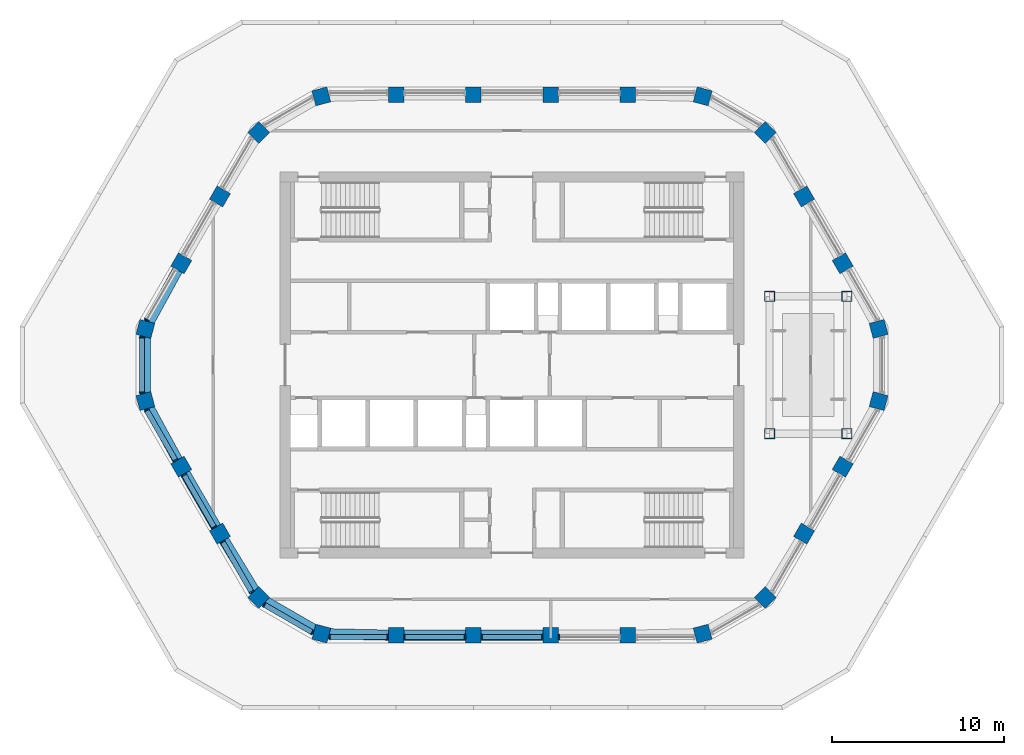
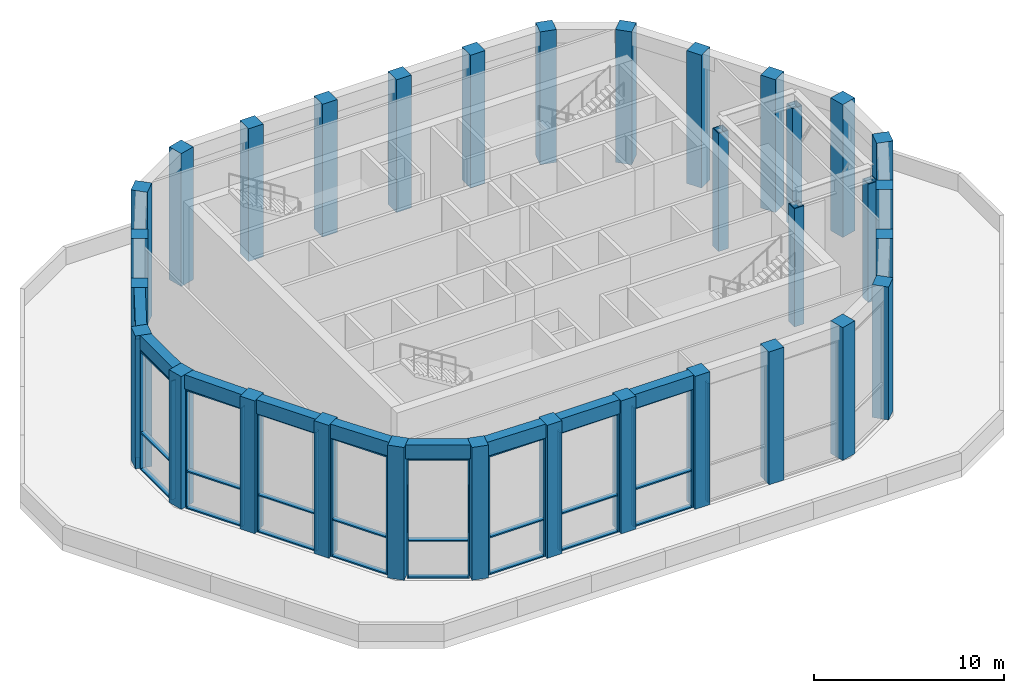
# One storey, part 1 of 11: 42 members, 32 columns, 9 beams, 10 elements without a shape of their own.
"""IFC4 building model written with IfcOpenShell, lengths in metres."""

from ifc_helpers import new_model, si_unit, direction, frame, origin, origin_2d, place, context, subcontext, project, spatial, rectangle, hollow_rectangle, extrude, material, layer, layer_set, material_profile, profile_set, type_object, element, aggregate, save


model = new_model("IFC4")

# Units and contexts
model_context = context("Model", 3, precision=1e-05, world=origin(), true_north=direction((0.0, 1.0)))
body_context = subcontext(model_context, "Body", "Model", "MODEL_VIEW")
ifc_project = project(units=[si_unit("LENGTHUNIT", "METRE"), si_unit("AREAUNIT", "SQUARE_METRE"), si_unit("VOLUMEUNIT", "CUBIC_METRE"), si_unit("PLANEANGLEUNIT", "RADIAN"), si_unit("MASSUNIT", "GRAM", prefix="KILO")], contexts=[model_context])

# Site, building, storey
site_placement = place(None, origin())
site = spatial("IfcSite", under=ifc_project, at=site_placement, CompositionType="ELEMENT")
building_placement = place(site_placement, origin())
building = spatial("IfcBuilding", under=site, at=building_placement, Name="Dhurran Vertical Campus", CompositionType="ELEMENT")
storey_placement = place(building_placement, frame((0.0, 0.0, 309.89990234375)))
storey = spatial("IfcBuildingStorey", under=building, at=storey_placement, Name="L77 Damper Plant", CompositionType="ELEMENT", Elevation=309.89990234375)

# Columns
ifc_material_1 = material(Name="Concrete C60/75", Category="concrete")
ifc_material_profile_1 = material_profile(ifc_material_1, rectangle(XDim=0.89990234375, YDim=0.89990234375, at=origin_2d()), Name="cr/col/R1")
ifc_profile_set_1 = profile_set([ifc_material_profile_1], Name="Concrete C60/75")
column_type_1 = type_object("IfcColumnType", Name="cr/col/R1", PredefinedType="COLUMN", material=ifc_profile_set_1)
for number, where, z_axis, x_axis, name in (
    (1, (-11.102294921875, -15.64013671875, 0.0), (0.0, 0.0, 1.0), (0.965925826289, -0.258819045103, 0.0), "Crown column L77 1"),
    (2, (-6.75, -15.7412109375, 0.0), (0.0, 0.0, 1.0), (1.0, 0.0, 0.0), "Crown column L77 2"),
    (3, (-2.25, -15.7412109375, 0.0), (0.0, 0.0, 1.0), (1.0, 0.0, 0.0), "Crown column L77 3"),
    (4, (2.25, -15.7412109375, 0.0), (0.0, 0.0, 1.0), (1.0, 0.0, 0.0), "Crown column L77 4"),
    (5, (6.75, -15.7412109375, 0.0), (0.0, 0.0, 1.0), (1.0, 0.0, 0.0), "Crown column L77 5"),
    (6, (11.102294921875, -15.64013671875, 0.0), (0.0, 0.0, 1.0), (0.965925826289, 0.258819045103, 0.0), "Crown column L77 6"),
    (7, (14.74365234375, -13.537841796875, 0.0), (0.0, 0.0, 1.0), (0.707106781187, 0.707106781187, 0.0), "Crown column L77 7"),
    (8, (17.00732421875, -9.819091796875, 0.0), (0.0, 0.0, 1.0), (0.5, 0.866025403784, 0.0), "Crown column L77 8"),
    (9, (19.25732421875, -5.922119140625, 0.0), (0.0, 0.0, 1.0), (0.5, 0.866025403784, 0.0), "Crown column L77 9"),
    (10, (21.345947265625, -2.102294921875, 0.0), (0.0, 0.0, 1.0), (0.258819045103, 0.965925826289, 0.0), "Crown column L77 10"),
    (11, (21.345947265625, 2.102294921875, 0.0), (0.0, 0.0, 1.0), (-0.258819045103, 0.965925826289, 0.0), "Crown column L77 11"),
    (12, (19.25732421875, 5.922119140625, 0.0), (0.0, 0.0, 1.0), (-0.5, 0.866025403784, 0.0), "Crown column L77 12"),
    (13, (17.00732421875, 9.819091796875, 0.0), (0.0, 0.0, 1.0), (-0.5, 0.866025403784, 0.0), "Crown column L77 13"),
    (14, (14.74365234375, 13.537841796875, 0.0), (0.0, 0.0, 1.0), (-0.707106781187, 0.707106781187, 0.0), "Crown column L77 14"),
    (15, (11.102294921875, 15.64013671875, 0.0), (0.0, 0.0, 1.0), (-0.965925826289, 0.258819045103, 0.0), "Crown column L77 15"),
    (16, (6.75, 15.7412109375, 0.0), (0.0, 0.0, 1.0), (-1.0, 0.0, 0.0), "Crown column L77 16"),
    (17, (2.25, 15.7412109375, 0.0), (0.0, 0.0, 1.0), (-1.0, 0.0, 0.0), "Crown column L77 17"),
    (18, (-2.25, 15.7412109375, 0.0), (0.0, 0.0, 1.0), (-1.0, 0.0, 0.0), "Crown column L77 18"),
    (19, (-6.75, 15.7412109375, 0.0), (0.0, 0.0, 1.0), (-1.0, 0.0, 0.0), "Crown column L77 19"),
    (20, (-11.102294921875, 15.64013671875, 0.0), (0.0, 0.0, 1.0), (-0.965925826289, -0.258819045103, 0.0), "Crown column L77 20"),
    (21, (-14.74365234375, 13.537841796875, 0.0), (0.0, 0.0, 1.0), (-0.707106781187, -0.707106781187, 0.0), "Crown column L77 21"),
    (22, (-17.00732421875, 9.819091796875, 0.0), (0.0, 0.0, 1.0), (-0.5, -0.866025403784, 0.0), "Crown column L77 22"),
    (23, (-19.25732421875, 5.922119140625, 0.0), (0.0, 0.0, 1.0), (-0.5, -0.866025403784, 0.0), "Crown column L77 23"),
    (24, (-21.345947265625, 2.102294921875, 0.0), (0.0, 0.0, 1.0), (-0.258819045103, -0.965925826289, 0.0), "Crown column L77 24"),
    (25, (-21.345947265625, -2.102294921875, 0.0), (0.0, 0.0, 1.0), (0.258819045103, -0.965925826289, 0.0), "Crown column L77 25"),
    (26, (-19.25732421875, -5.922119140625, 0.0), (0.0, 0.0, 1.0), (0.5, -0.866025403784, 0.0), "Crown column L77 26"),
    (27, (-17.00732421875, -9.819091796875, 0.0), (0.0, 0.0, 1.0), (0.5, -0.866025403784, 0.0), "Crown column L77 27"),
    (28, (-14.74365234375, -13.537841796875, 0.0), (0.0, 0.0, 1.0), (0.707106781187, -0.707106781187, 0.0), "Crown column L77 28"),
):
    element("IfcColumn", number, at=place(storey_placement, frame(where, z_axis=z_axis, x_axis=x_axis)), inside=storey, type_object=column_type_1, Name=name, PredefinedType="COLUMN", context=body_context, shape_type="SweptSolid", body=[
        extrude(rectangle(XDim=0.89990234375, YDim=0.89990234375, at=origin_2d()), origin(), (0.0, 0.0, 1.0), 8.550048828125),
    ])
ifc_material_2 = material(Name="Steel S355J2H", Category="steel")
ifc_material_profile_2 = material_profile(ifc_material_2, hollow_rectangle(XDim=0.60009765625, YDim=0.60009765625, WallThickness=0.0400390625, at=origin_2d()), Name="cr/col/damper")
ifc_profile_set_2 = profile_set([ifc_material_profile_2], Name="Steel S355J2H")
column_type_2 = type_object("IfcColumnType", Name="cr/col/damper", PredefinedType="COLUMN", material=ifc_profile_set_2)
for number, where, z_axis, x_axis, name in (
    (29, (15.0, -4.0, 0.0), (0.0, 0.0, 1.0), (1.0, 0.0, 0.0), "Damper frame column 00"),
    (30, (15.0, 4.0, 0.0), (0.0, 0.0, 1.0), (1.0, 0.0, 0.0), "Damper frame column 01"),
    (31, (19.5, -4.0, 0.0), (0.0, 0.0, 1.0), (1.0, 0.0, 0.0), "Damper frame column 10"),
    (32, (19.5, 4.0, 0.0), (0.0, 0.0, 1.0), (1.0, 0.0, 0.0), "Damper frame column 11"),
):
    element("IfcColumn", number, at=place(storey_placement, frame(where, z_axis=z_axis, x_axis=x_axis)), inside=storey, type_object=column_type_2, Name=name, PredefinedType="COLUMN", context=body_context, shape_type="SweptSolid", body=[
        extrude(hollow_rectangle(XDim=0.60009765625, YDim=0.60009765625, WallThickness=0.0400390625, at=origin_2d()), origin(), (0.0, 0.0, 1.0), 7.6171875),
    ])

# Curtain wall, members
ifc_material_3 = material(Name="Aluminium frame with solar-control glass", Category="aluminium")
ifc_layer = layer(ifc_material_3, 0.300048828125)
ifc_layer_set = layer_set([ifc_layer], Name="Aluminium frame with solar-control glass")
curtain_wall_type = type_object("IfcCurtainWallType", Name="Damper floor glazing system", PredefinedType="NOTDEFINED", material=ifc_layer_set)
curtain_wall_1_placement = place(storey_placement, origin())
curtain_wall_1 = element("IfcCurtainWall", 33, at=curtain_wall_1_placement, inside=storey, type_object=curtain_wall_type, Name="CW4 L77.00", PredefinedType="NOTDEFINED")
ifc_material_4 = material(Name="Aluminium mullion", Category="aluminium")
ifc_material_profile_3 = material_profile(ifc_material_4, rectangle(XDim=0.300048828125, YDim=0.080078125, at=origin_2d()), Name="Damper floor glazing system mullion")
ifc_profile_set_3 = profile_set([ifc_material_profile_3], Name="Aluminium mullion")
member_type_1 = type_object("IfcMemberType", Name="Damper floor glazing system mullion", PredefinedType="MULLION", material=ifc_profile_set_3)
member_1_placement = place(storey_placement, frame((-10.60986328125, -15.84130859375, 0.0), z_axis=(0.0, 0.0, 1.0), x_axis=(0.0, 1.0, 0.0)))
member_1 = element("IfcMember", 34, at=member_1_placement, type_object=member_type_1, Name="CW4 mullion 1", PredefinedType="MULLION", context=body_context, shape_type="SweptSolid", body=[
    extrude(rectangle(XDim=0.300048828125, YDim=0.080078125, at=origin_2d()), origin(), (0.0, 0.0, 1.0), 7.650146484375),
])
member_2_placement = place(storey_placement, frame((-7.240478515625, -15.84130859375, 0.0), z_axis=(0.0, 0.0, 1.0), x_axis=(0.0, 1.0, 0.0)))
member_2 = element("IfcMember", 35, at=member_2_placement, type_object=member_type_1, Name="CW4 mullion 2", PredefinedType="MULLION", context=body_context, shape_type="SweptSolid", body=[
    extrude(rectangle(XDim=0.300048828125, YDim=0.080078125, at=origin_2d()), origin(), (0.0, 0.0, 1.0), 7.650146484375),
])

curtain_wall_2_placement = place(storey_placement, origin())
curtain_wall_2 = element("IfcCurtainWall", 36, at=curtain_wall_2_placement, inside=storey, type_object=curtain_wall_type, Name="CW4 L77.01", PredefinedType="NOTDEFINED")
member_3_placement = place(storey_placement, frame((-6.259521484375, -15.84130859375, 0.0), z_axis=(0.0, 0.0, 1.0), x_axis=(0.0, 1.0, 0.0)))
member_3 = element("IfcMember", 37, at=member_3_placement, type_object=member_type_1, Name="CW4 mullion 1", PredefinedType="MULLION", context=body_context, shape_type="SweptSolid", body=[
    extrude(rectangle(XDim=0.300048828125, YDim=0.080078125, at=origin_2d()), origin(), (0.0, 0.0, 1.0), 7.650146484375),
])
member_4_placement = place(storey_placement, frame((-2.740478515625, -15.84130859375, 0.0), z_axis=(0.0, 0.0, 1.0), x_axis=(0.0, 1.0, 0.0)))
member_4 = element("IfcMember", 38, at=member_4_placement, type_object=member_type_1, Name="CW4 mullion 2", PredefinedType="MULLION", context=body_context, shape_type="SweptSolid", body=[
    extrude(rectangle(XDim=0.300048828125, YDim=0.080078125, at=origin_2d()), origin(), (0.0, 0.0, 1.0), 7.650146484375),
])

curtain_wall_3_placement = place(storey_placement, origin())
curtain_wall_3 = element("IfcCurtainWall", 39, at=curtain_wall_3_placement, inside=storey, type_object=curtain_wall_type, Name="CW4 L77.02", PredefinedType="NOTDEFINED")
member_5_placement = place(storey_placement, frame((-1.759521484375, -15.84130859375, 0.0), z_axis=(0.0, 0.0, 1.0), x_axis=(0.0, 1.0, 0.0)))
member_5 = element("IfcMember", 40, at=member_5_placement, type_object=member_type_1, Name="CW4 mullion 1", PredefinedType="MULLION", context=body_context, shape_type="SweptSolid", body=[
    extrude(rectangle(XDim=0.300048828125, YDim=0.080078125, at=origin_2d()), origin(), (0.0, 0.0, 1.0), 7.650146484375),
])
member_6_placement = place(storey_placement, frame((1.759521484375, -15.84130859375, 0.0), z_axis=(0.0, 0.0, 1.0), x_axis=(0.0, 1.0, 0.0)))
member_6 = element("IfcMember", 41, at=member_6_placement, type_object=member_type_1, Name="CW4 mullion 2", PredefinedType="MULLION", context=body_context, shape_type="SweptSolid", body=[
    extrude(rectangle(XDim=0.300048828125, YDim=0.080078125, at=origin_2d()), origin(), (0.0, 0.0, 1.0), 7.650146484375),
])

# Curtain wall, member
curtain_wall_4_placement = place(storey_placement, origin())
curtain_wall_4 = element("IfcCurtainWall", 42, at=curtain_wall_4_placement, inside=storey, type_object=curtain_wall_type, Name="CW4 L77.03", PredefinedType="NOTDEFINED")
member_7_placement = place(storey_placement, frame((2.740478515625, -15.84130859375, 0.0), z_axis=(0.0, 0.0, 1.0), x_axis=(0.0, 1.0, 0.0)))
member_7 = element("IfcMember", 43, at=member_7_placement, type_object=member_type_1, Name="CW4 mullion 1", PredefinedType="MULLION", context=body_context, shape_type="SweptSolid", body=[
    extrude(rectangle(XDim=0.300048828125, YDim=0.080078125, at=origin_2d()), origin(), (0.0, 0.0, 1.0), 7.650146484375),
])
aggregate(curtain_wall_4, [member_7])

curtain_wall_5_placement = place(storey_placement, origin())
curtain_wall_5 = element("IfcCurtainWall", 44, at=curtain_wall_5_placement, inside=storey, type_object=curtain_wall_type, Name="CW4 L77.22", PredefinedType="NOTDEFINED")
member_8_placement = place(storey_placement, frame((-21.27392578125, 2.62939453125, 0.0), z_axis=(0.0, 0.0, 1.0), x_axis=(0.866027720988, -0.499995986465, 0.0)))
member_8 = element("IfcMember", 45, at=member_8_placement, type_object=member_type_1, Name="CW4 mullion 2", PredefinedType="MULLION", context=body_context, shape_type="SweptSolid", body=[
    extrude(rectangle(XDim=0.300048828125, YDim=0.080078125, at=origin_2d()), origin(), (0.0, 0.0, 1.0), 7.650146484375),
])
aggregate(curtain_wall_5, [member_8])

# Curtain wall, members
curtain_wall_6_placement = place(storey_placement, origin())
curtain_wall_6 = element("IfcCurtainWall", 46, at=curtain_wall_6_placement, inside=storey, type_object=curtain_wall_type, Name="CW4 L77.23", PredefinedType="NOTDEFINED")
member_9_placement = place(storey_placement, frame((-21.547119140625, 1.60986328125, 0.0), z_axis=(0.0, 0.0, 1.0), x_axis=(1.0, 0.0, 0.0)))
member_9 = element("IfcMember", 47, at=member_9_placement, type_object=member_type_1, Name="CW4 mullion 1", PredefinedType="MULLION", context=body_context, shape_type="SweptSolid", body=[
    extrude(rectangle(XDim=0.300048828125, YDim=0.080078125, at=origin_2d()), origin(), (0.0, 0.0, 1.0), 7.650146484375),
])
member_10_placement = place(storey_placement, frame((-21.547119140625, -1.60986328125, 0.0), z_axis=(0.0, 0.0, 1.0), x_axis=(1.0, 0.0, 0.0)))
member_10 = element("IfcMember", 48, at=member_10_placement, type_object=member_type_1, Name="CW4 mullion 2", PredefinedType="MULLION", context=body_context, shape_type="SweptSolid", body=[
    extrude(rectangle(XDim=0.300048828125, YDim=0.080078125, at=origin_2d()), origin(), (0.0, 0.0, 1.0), 7.650146484375),
])

curtain_wall_7_placement = place(storey_placement, origin())
curtain_wall_7 = element("IfcCurtainWall", 49, at=curtain_wall_7_placement, inside=storey, type_object=curtain_wall_type, Name="CW4 L77.24", PredefinedType="NOTDEFINED")
member_11_placement = place(storey_placement, frame((-21.27392578125, -2.62939453125, 0.0), z_axis=(0.0, 0.0, 1.0), x_axis=(0.866027720988, 0.499995986465, 0.0)))
member_11 = element("IfcMember", 50, at=member_11_placement, type_object=member_type_1, Name="CW4 mullion 1", PredefinedType="MULLION", context=body_context, shape_type="SweptSolid", body=[
    extrude(rectangle(XDim=0.300048828125, YDim=0.080078125, at=origin_2d()), origin(), (0.0, 0.0, 1.0), 7.650146484375),
])
member_12_placement = place(storey_placement, frame((-19.58935546875, -5.54736328125, 0.0), z_axis=(0.0, 0.0, 1.0), x_axis=(0.866027720988, 0.499995986465, 0.0)))
member_12 = element("IfcMember", 51, at=member_12_placement, type_object=member_type_1, Name="CW4 mullion 2", PredefinedType="MULLION", context=body_context, shape_type="SweptSolid", body=[
    extrude(rectangle(XDim=0.300048828125, YDim=0.080078125, at=origin_2d()), origin(), (0.0, 0.0, 1.0), 7.650146484375),
])

curtain_wall_8_placement = place(storey_placement, origin())
curtain_wall_8 = element("IfcCurtainWall", 52, at=curtain_wall_8_placement, inside=storey, type_object=curtain_wall_type, Name="CW4 L77.25", PredefinedType="NOTDEFINED")
member_13_placement = place(storey_placement, frame((-19.098876953125, -6.39697265625, 0.0), z_axis=(0.0, 0.0, 1.0), x_axis=(0.866023637427, 0.500003059408, 0.0)))
member_13 = element("IfcMember", 53, at=member_13_placement, type_object=member_type_1, Name="CW4 mullion 1", PredefinedType="MULLION", context=body_context, shape_type="SweptSolid", body=[
    extrude(rectangle(XDim=0.300048828125, YDim=0.080078125, at=origin_2d()), origin(), (0.0, 0.0, 1.0), 7.650146484375),
])
member_14_placement = place(storey_placement, frame((-17.33935546875, -9.444580078125, 0.0), z_axis=(0.0, 0.0, 1.0), x_axis=(0.866023637427, 0.500003059408, 0.0)))
member_14 = element("IfcMember", 54, at=member_14_placement, type_object=member_type_1, Name="CW4 mullion 2", PredefinedType="MULLION", context=body_context, shape_type="SweptSolid", body=[
    extrude(rectangle(XDim=0.300048828125, YDim=0.080078125, at=origin_2d()), origin(), (0.0, 0.0, 1.0), 7.650146484375),
])

curtain_wall_9_placement = place(storey_placement, origin())
curtain_wall_9 = element("IfcCurtainWall", 55, at=curtain_wall_9_placement, inside=storey, type_object=curtain_wall_type, Name="CW4 L77.26", PredefinedType="NOTDEFINED")
member_15_placement = place(storey_placement, frame((-16.848876953125, -10.2939453125, 0.0), z_axis=(0.0, 0.0, 1.0), x_axis=(0.866020473248, 0.500008539842, 0.0)))
member_15 = element("IfcMember", 56, at=member_15_placement, type_object=member_type_1, Name="CW4 mullion 1", PredefinedType="MULLION", context=body_context, shape_type="SweptSolid", body=[
    extrude(rectangle(XDim=0.300048828125, YDim=0.080078125, at=origin_2d()), origin(), (0.0, 0.0, 1.0), 7.650146484375),
])
member_16_placement = place(storey_placement, frame((-15.1640625, -13.2119140625, 0.0), z_axis=(0.0, 0.0, 1.0), x_axis=(0.866020473248, 0.500008539842, 0.0)))
member_16 = element("IfcMember", 57, at=member_16_placement, type_object=member_type_1, Name="CW4 mullion 2", PredefinedType="MULLION", context=body_context, shape_type="SweptSolid", body=[
    extrude(rectangle(XDim=0.300048828125, YDim=0.080078125, at=origin_2d()), origin(), (0.0, 0.0, 1.0), 7.650146484375),
])

curtain_wall_10_placement = place(storey_placement, origin())
curtain_wall_10 = element("IfcCurtainWall", 58, at=curtain_wall_10_placement, inside=storey, type_object=curtain_wall_type, Name="CW4 L77.27", PredefinedType="NOTDEFINED")
member_17_placement = place(storey_placement, frame((-14.417724609375, -13.958251953125, 0.0), z_axis=(0.0, 0.0, 1.0), x_axis=(0.500001394569, 0.866024598628, 0.0)))
member_17 = element("IfcMember", 59, at=member_17_placement, type_object=member_type_1, Name="CW4 mullion 1", PredefinedType="MULLION", context=body_context, shape_type="SweptSolid", body=[
    extrude(rectangle(XDim=0.300048828125, YDim=0.080078125, at=origin_2d()), origin(), (0.0, 0.0, 1.0), 7.650146484375),
])
member_18_placement = place(storey_placement, frame((-11.62939453125, -15.568115234375, 0.0), z_axis=(0.0, 0.0, 1.0), x_axis=(0.500001394569, 0.866024598628, 0.0)))
member_18 = element("IfcMember", 60, at=member_18_placement, type_object=member_type_1, Name="CW4 mullion 2", PredefinedType="MULLION", context=body_context, shape_type="SweptSolid", body=[
    extrude(rectangle(XDim=0.300048828125, YDim=0.080078125, at=origin_2d()), origin(), (0.0, 0.0, 1.0), 7.650146484375),
])

# Member
ifc_material_5 = material(Name="Aluminium transom", Category="aluminium")
ifc_material_profile_4 = material_profile(ifc_material_5, rectangle(XDim=0.300048828125, YDim=0.080078125, at=origin_2d()), Name="Damper floor glazing system transom")
ifc_profile_set_4 = profile_set([ifc_material_profile_4], Name="Aluminium transom")
member_type_2 = type_object("IfcMemberType", Name="Damper floor glazing system transom", PredefinedType="USERDEFINED", material=ifc_profile_set_4)
member_19_placement = place(storey_placement, frame((-10.56982421875, -15.84130859375, 0.0400390625), z_axis=(1.0, 0.0, 0.0), x_axis=(0.0, 1.0, 0.0)))
member_19 = element("IfcMember", 61, at=member_19_placement, type_object=member_type_2, Name="CW4 transom 1.1", ObjectType="TRANSOM", PredefinedType="USERDEFINED", context=body_context, shape_type="SweptSolid", body=[
    extrude(rectangle(XDim=0.300048828125, YDim=0.080078125, at=origin_2d()), origin(), (0.0, 0.0, 1.0), 3.289306640625),
])

member_20_placement = place(storey_placement, frame((-10.56982421875, -15.84130859375, 2.400146484375), z_axis=(1.0, 0.0, 0.0), x_axis=(0.0, 1.0, 0.0)))
member_20 = element("IfcMember", 62, at=member_20_placement, type_object=member_type_2, Name="CW4 transom 1.2", ObjectType="TRANSOM", PredefinedType="USERDEFINED", context=body_context, shape_type="SweptSolid", body=[
    extrude(rectangle(XDim=0.300048828125, YDim=0.080078125, at=origin_2d()), origin(), (0.0, 0.0, 1.0), 3.289306640625),
])

member_21_placement = place(storey_placement, frame((-10.56982421875, -15.84130859375, 7.610107421875), z_axis=(1.0, 0.0, 0.0), x_axis=(0.0, 1.0, 0.0)))
member_21 = element("IfcMember", 63, at=member_21_placement, type_object=member_type_2, Name="CW4 transom 1.3", ObjectType="TRANSOM", PredefinedType="USERDEFINED", context=body_context, shape_type="SweptSolid", body=[
    extrude(rectangle(XDim=0.300048828125, YDim=0.080078125, at=origin_2d()), origin(), (0.0, 0.0, 1.0), 3.289306640625),
])

aggregate(curtain_wall_1, [member_1, member_2, member_19, member_20, member_21])

member_22_placement = place(storey_placement, frame((-6.219482421875, -15.84130859375, 0.0400390625), z_axis=(1.0, 0.0, 0.0), x_axis=(0.0, 1.0, 0.0)))
member_22 = element("IfcMember", 64, at=member_22_placement, type_object=member_type_2, Name="CW4 transom 1.1", ObjectType="TRANSOM", PredefinedType="USERDEFINED", context=body_context, shape_type="SweptSolid", body=[
    extrude(rectangle(XDim=0.300048828125, YDim=0.080078125, at=origin_2d()), origin(), (0.0, 0.0, 1.0), 3.43896484375),
])

member_23_placement = place(storey_placement, frame((-6.219482421875, -15.84130859375, 2.400146484375), z_axis=(1.0, 0.0, 0.0), x_axis=(0.0, 1.0, 0.0)))
member_23 = element("IfcMember", 65, at=member_23_placement, type_object=member_type_2, Name="CW4 transom 1.2", ObjectType="TRANSOM", PredefinedType="USERDEFINED", context=body_context, shape_type="SweptSolid", body=[
    extrude(rectangle(XDim=0.300048828125, YDim=0.080078125, at=origin_2d()), origin(), (0.0, 0.0, 1.0), 3.43896484375),
])

member_24_placement = place(storey_placement, frame((-6.219482421875, -15.84130859375, 7.610107421875), z_axis=(1.0, 0.0, 0.0), x_axis=(0.0, 1.0, 0.0)))
member_24 = element("IfcMember", 66, at=member_24_placement, type_object=member_type_2, Name="CW4 transom 1.3", ObjectType="TRANSOM", PredefinedType="USERDEFINED", context=body_context, shape_type="SweptSolid", body=[
    extrude(rectangle(XDim=0.300048828125, YDim=0.080078125, at=origin_2d()), origin(), (0.0, 0.0, 1.0), 3.43896484375),
])

aggregate(curtain_wall_2, [member_3, member_4, member_22, member_23, member_24])

member_25_placement = place(storey_placement, frame((-1.719482421875, -15.84130859375, 0.0400390625), z_axis=(1.0, 0.0, 0.0), x_axis=(0.0, 1.0, 0.0)))
member_25 = element("IfcMember", 67, at=member_25_placement, type_object=member_type_2, Name="CW4 transom 1.1", ObjectType="TRANSOM", PredefinedType="USERDEFINED", context=body_context, shape_type="SweptSolid", body=[
    extrude(rectangle(XDim=0.300048828125, YDim=0.080078125, at=origin_2d()), origin(), (0.0, 0.0, 1.0), 3.43896484375),
])

member_26_placement = place(storey_placement, frame((-1.719482421875, -15.84130859375, 2.400146484375), z_axis=(1.0, 0.0, 0.0), x_axis=(0.0, 1.0, 0.0)))
member_26 = element("IfcMember", 68, at=member_26_placement, type_object=member_type_2, Name="CW4 transom 1.2", ObjectType="TRANSOM", PredefinedType="USERDEFINED", context=body_context, shape_type="SweptSolid", body=[
    extrude(rectangle(XDim=0.300048828125, YDim=0.080078125, at=origin_2d()), origin(), (0.0, 0.0, 1.0), 3.43896484375),
])

member_27_placement = place(storey_placement, frame((-1.719482421875, -15.84130859375, 7.610107421875), z_axis=(1.0, 0.0, 0.0), x_axis=(0.0, 1.0, 0.0)))
member_27 = element("IfcMember", 69, at=member_27_placement, type_object=member_type_2, Name="CW4 transom 1.3", ObjectType="TRANSOM", PredefinedType="USERDEFINED", context=body_context, shape_type="SweptSolid", body=[
    extrude(rectangle(XDim=0.300048828125, YDim=0.080078125, at=origin_2d()), origin(), (0.0, 0.0, 1.0), 3.43896484375),
])

aggregate(curtain_wall_3, [member_5, member_6, member_25, member_26, member_27])

member_28_placement = place(storey_placement, frame((-21.547119140625, 1.56982421875, 0.0400390625), z_axis=(0.0, -1.0, 0.0), x_axis=(1.0, 0.0, 0.0)))
member_28 = element("IfcMember", 70, at=member_28_placement, type_object=member_type_2, Name="CW4 transom 1.1", ObjectType="TRANSOM", PredefinedType="USERDEFINED", context=body_context, shape_type="SweptSolid", body=[
    extrude(rectangle(XDim=0.300048828125, YDim=0.080078125, at=origin_2d()), origin(), (0.0, 0.0, 1.0), 3.1396484375),
])

member_29_placement = place(storey_placement, frame((-21.547119140625, 1.56982421875, 2.400146484375), z_axis=(0.0, -1.0, 0.0), x_axis=(1.0, 0.0, 0.0)))
member_29 = element("IfcMember", 71, at=member_29_placement, type_object=member_type_2, Name="CW4 transom 1.2", ObjectType="TRANSOM", PredefinedType="USERDEFINED", context=body_context, shape_type="SweptSolid", body=[
    extrude(rectangle(XDim=0.300048828125, YDim=0.080078125, at=origin_2d()), origin(), (0.0, 0.0, 1.0), 3.1396484375),
])

member_30_placement = place(storey_placement, frame((-21.547119140625, 1.56982421875, 7.610107421875), z_axis=(0.0, -1.0, 0.0), x_axis=(1.0, 0.0, 0.0)))
member_30 = element("IfcMember", 72, at=member_30_placement, type_object=member_type_2, Name="CW4 transom 1.3", ObjectType="TRANSOM", PredefinedType="USERDEFINED", context=body_context, shape_type="SweptSolid", body=[
    extrude(rectangle(XDim=0.300048828125, YDim=0.080078125, at=origin_2d()), origin(), (0.0, 0.0, 1.0), 3.1396484375),
])

aggregate(curtain_wall_6, [member_9, member_10, member_28, member_29, member_30])

member_31_placement = place(storey_placement, frame((-21.25390625, -2.6640625, 0.0400390625), z_axis=(0.499970888758, -0.866042210515, 0.0), x_axis=(0.866042210515, 0.499970888758, 0.0)))
member_31 = element("IfcMember", 73, at=member_31_placement, type_object=member_type_2, Name="CW4 transom 1.1", ObjectType="TRANSOM", PredefinedType="USERDEFINED", context=body_context, shape_type="SweptSolid", body=[
    extrude(rectangle(XDim=0.300048828125, YDim=0.080078125, at=origin_2d()), origin(), (0.0, 0.0, 1.0), 3.289306640625),
])

member_32_placement = place(storey_placement, frame((-21.25390625, -2.6640625, 2.400146484375), z_axis=(0.499970888758, -0.866042210515, 0.0), x_axis=(0.866042210515, 0.499970888758, 0.0)))
member_32 = element("IfcMember", 74, at=member_32_placement, type_object=member_type_2, Name="CW4 transom 1.2", ObjectType="TRANSOM", PredefinedType="USERDEFINED", context=body_context, shape_type="SweptSolid", body=[
    extrude(rectangle(XDim=0.300048828125, YDim=0.080078125, at=origin_2d()), origin(), (0.0, 0.0, 1.0), 3.289306640625),
])

member_33_placement = place(storey_placement, frame((-21.25390625, -2.6640625, 7.610107421875), z_axis=(0.499970888758, -0.866042210515, 0.0), x_axis=(0.866042210515, 0.499970888758, 0.0)))
member_33 = element("IfcMember", 75, at=member_33_placement, type_object=member_type_2, Name="CW4 transom 1.3", ObjectType="TRANSOM", PredefinedType="USERDEFINED", context=body_context, shape_type="SweptSolid", body=[
    extrude(rectangle(XDim=0.300048828125, YDim=0.080078125, at=origin_2d()), origin(), (0.0, 0.0, 1.0), 3.289306640625),
])

aggregate(curtain_wall_7, [member_11, member_12, member_31, member_32, member_33])

member_34_placement = place(storey_placement, frame((-19.078857421875, -6.431640625, 0.0400390625), z_axis=(0.499994892108, -0.866028352807, 0.0), x_axis=(0.866028352807, 0.499994892108, 0.0)))
member_34 = element("IfcMember", 76, at=member_34_placement, type_object=member_type_2, Name="CW4 transom 1.1", ObjectType="TRANSOM", PredefinedType="USERDEFINED", context=body_context, shape_type="SweptSolid", body=[
    extrude(rectangle(XDim=0.300048828125, YDim=0.080078125, at=origin_2d()), origin(), (0.0, 0.0, 1.0), 3.43896484375),
])

member_35_placement = place(storey_placement, frame((-19.078857421875, -6.431640625, 2.400146484375), z_axis=(0.499994892108, -0.866028352807, 0.0), x_axis=(0.866028352807, 0.499994892108, 0.0)))
member_35 = element("IfcMember", 77, at=member_35_placement, type_object=member_type_2, Name="CW4 transom 1.2", ObjectType="TRANSOM", PredefinedType="USERDEFINED", context=body_context, shape_type="SweptSolid", body=[
    extrude(rectangle(XDim=0.300048828125, YDim=0.080078125, at=origin_2d()), origin(), (0.0, 0.0, 1.0), 3.43896484375),
])

member_36_placement = place(storey_placement, frame((-19.078857421875, -6.431640625, 7.610107421875), z_axis=(0.499994892108, -0.866028352807, 0.0), x_axis=(0.866028352807, 0.499994892108, 0.0)))
member_36 = element("IfcMember", 78, at=member_36_placement, type_object=member_type_2, Name="CW4 transom 1.3", ObjectType="TRANSOM", PredefinedType="USERDEFINED", context=body_context, shape_type="SweptSolid", body=[
    extrude(rectangle(XDim=0.300048828125, YDim=0.080078125, at=origin_2d()), origin(), (0.0, 0.0, 1.0), 3.43896484375),
])

aggregate(curtain_wall_8, [member_13, member_14, member_34, member_35, member_36])

member_37_placement = place(storey_placement, frame((-16.828857421875, -10.32861328125, 0.0400390625), z_axis=(0.5000265556, -0.866010071359, 0.0), x_axis=(0.866010071359, 0.5000265556, 0.0)))
member_37 = element("IfcMember", 79, at=member_37_placement, type_object=member_type_2, Name="CW4 transom 1.1", ObjectType="TRANSOM", PredefinedType="USERDEFINED", context=body_context, shape_type="SweptSolid", body=[
    extrude(rectangle(XDim=0.300048828125, YDim=0.080078125, at=origin_2d()), origin(), (0.0, 0.0, 1.0), 3.289306640625),
])

member_38_placement = place(storey_placement, frame((-16.828857421875, -10.32861328125, 2.400146484375), z_axis=(0.5000265556, -0.866010071359, 0.0), x_axis=(0.866010071359, 0.5000265556, 0.0)))
member_38 = element("IfcMember", 80, at=member_38_placement, type_object=member_type_2, Name="CW4 transom 1.2", ObjectType="TRANSOM", PredefinedType="USERDEFINED", context=body_context, shape_type="SweptSolid", body=[
    extrude(rectangle(XDim=0.300048828125, YDim=0.080078125, at=origin_2d()), origin(), (0.0, 0.0, 1.0), 3.289306640625),
])

member_39_placement = place(storey_placement, frame((-16.828857421875, -10.32861328125, 7.610107421875), z_axis=(0.5000265556, -0.866010071359, 0.0), x_axis=(0.866010071359, 0.5000265556, 0.0)))
member_39 = element("IfcMember", 81, at=member_39_placement, type_object=member_type_2, Name="CW4 transom 1.3", ObjectType="TRANSOM", PredefinedType="USERDEFINED", context=body_context, shape_type="SweptSolid", body=[
    extrude(rectangle(XDim=0.300048828125, YDim=0.080078125, at=origin_2d()), origin(), (0.0, 0.0, 1.0), 3.289306640625),
])

aggregate(curtain_wall_9, [member_15, member_16, member_37, member_38, member_39])

member_40_placement = place(storey_placement, frame((-14.383056640625, -13.978271484375, 0.0400390625), z_axis=(0.866023718453, -0.500002919068, 0.0), x_axis=(0.500002919068, 0.866023718453, 0.0)))
member_40 = element("IfcMember", 82, at=member_40_placement, type_object=member_type_2, Name="CW4 transom 1.1", ObjectType="TRANSOM", PredefinedType="USERDEFINED", context=body_context, shape_type="SweptSolid", body=[
    extrude(rectangle(XDim=0.300048828125, YDim=0.080078125, at=origin_2d()), origin(), (0.0, 0.0, 1.0), 3.1396484375),
])

member_41_placement = place(storey_placement, frame((-14.383056640625, -13.978271484375, 2.400146484375), z_axis=(0.866023718453, -0.500002919068, 0.0), x_axis=(0.500002919068, 0.866023718453, 0.0)))
member_41 = element("IfcMember", 83, at=member_41_placement, type_object=member_type_2, Name="CW4 transom 1.2", ObjectType="TRANSOM", PredefinedType="USERDEFINED", context=body_context, shape_type="SweptSolid", body=[
    extrude(rectangle(XDim=0.300048828125, YDim=0.080078125, at=origin_2d()), origin(), (0.0, 0.0, 1.0), 3.1396484375),
])

member_42_placement = place(storey_placement, frame((-14.383056640625, -13.978271484375, 7.610107421875), z_axis=(0.866023718453, -0.500002919068, 0.0), x_axis=(0.500002919068, 0.866023718453, 0.0)))
member_42 = element("IfcMember", 84, at=member_42_placement, type_object=member_type_2, Name="CW4 transom 1.3", ObjectType="TRANSOM", PredefinedType="USERDEFINED", context=body_context, shape_type="SweptSolid", body=[
    extrude(rectangle(XDim=0.300048828125, YDim=0.080078125, at=origin_2d()), origin(), (0.0, 0.0, 1.0), 3.1396484375),
])

aggregate(curtain_wall_10, [member_17, member_18, member_40, member_41, member_42])

# Beams
ifc_material_6 = material(Name="Concrete C40/50", Category="concrete")
ifc_material_profile_5 = material_profile(ifc_material_6, rectangle(XDim=0.60009765625, YDim=0.89990234375, at=origin_2d()), Name="cr/beam/edge")
ifc_profile_set_5 = profile_set([ifc_material_profile_5], Name="Concrete C40/50")
beam_type = type_object("IfcBeamType", Name="cr/beam/edge", PredefinedType="BEAM", material=ifc_profile_set_5)
beam_1_placement = place(storey_placement, frame((-11.102294921875, -15.64013671875, 8.10009765625), z_axis=(0.999730450498, -0.023216940961, 0.0), x_axis=(0.023216940961, 0.999730450498, 0.0)))
element("IfcBeam", 85, at=beam_1_placement, inside=storey, type_object=beam_type, Name="Crown edge beam L77 1", PredefinedType="BEAM", context=body_context, shape_type="SweptSolid", body=[
    extrude(rectangle(XDim=0.60009765625, YDim=0.89990234375, at=origin_2d()), origin(), (0.0, 0.0, 1.0), 4.353515625),
])
for number, where, z_axis, x_axis, name in (
    (86, (-6.75, -15.7412109375, 8.10009765625), (1.0, 0.0, 0.0), (0.0, 1.0, 0.0), "Crown edge beam L77 2"),
    (87, (-2.25, -15.7412109375, 8.10009765625), (1.0, 0.0, 0.0), (0.0, 1.0, 0.0), "Crown edge beam L77 3"),
):
    element("IfcBeam", number, at=place(storey_placement, frame(where, z_axis=z_axis, x_axis=x_axis)), inside=storey, type_object=beam_type, Name=name, PredefinedType="BEAM", context=body_context, shape_type="SweptSolid", body=[
        extrude(rectangle(XDim=0.60009765625, YDim=0.89990234375, at=origin_2d()), origin(), (0.0, 0.0, 1.0), 4.5),
    ])
beam_2_placement = place(storey_placement, frame((-19.25732421875, 5.922119140625, 8.10009765625), z_axis=(-0.479751635625, -0.877404335592, 0.0), x_axis=(0.877404335592, -0.479751635625, 0.0)))
element("IfcBeam", 88, at=beam_2_placement, inside=storey, type_object=beam_type, Name="Crown edge beam L77 23", PredefinedType="BEAM", context=body_context, shape_type="SweptSolid", body=[
    extrude(rectangle(XDim=0.60009765625, YDim=0.89990234375, at=origin_2d()), origin(), (0.0, 0.0, 1.0), 4.353515625),
])
beam_3_placement = place(storey_placement, frame((-21.345947265625, 2.102294921875, 8.10009765625), z_axis=(0.0, -1.0, 0.0), x_axis=(1.0, 0.0, 0.0)))
element("IfcBeam", 89, at=beam_3_placement, inside=storey, type_object=beam_type, Name="Crown edge beam L77 24", PredefinedType="BEAM", context=body_context, shape_type="SweptSolid", body=[
    extrude(rectangle(XDim=0.60009765625, YDim=0.89990234375, at=origin_2d()), origin(), (0.0, 0.0, 1.0), 4.20458984375),
])
beam_4_placement = place(storey_placement, frame((-21.345947265625, -2.102294921875, 8.10009765625), z_axis=(0.479751635625, -0.877404335592, 0.0), x_axis=(0.877404335592, 0.479751635625, 0.0)))
element("IfcBeam", 90, at=beam_4_placement, inside=storey, type_object=beam_type, Name="Crown edge beam L77 25", PredefinedType="BEAM", context=body_context, shape_type="SweptSolid", body=[
    extrude(rectangle(XDim=0.60009765625, YDim=0.89990234375, at=origin_2d()), origin(), (0.0, 0.0, 1.0), 4.353515625),
])
beam_5_placement = place(storey_placement, frame((-19.25732421875, -5.922119140625, 8.10009765625), z_axis=(0.500013631625, -0.866017533419, 0.0), x_axis=(0.866017533419, 0.500013631625, 0.0)))
element("IfcBeam", 91, at=beam_5_placement, inside=storey, type_object=beam_type, Name="Crown edge beam L77 26", PredefinedType="BEAM", context=body_context, shape_type="SweptSolid", body=[
    extrude(rectangle(XDim=0.60009765625, YDim=0.89990234375, at=origin_2d()), origin(), (0.0, 0.0, 1.0), 4.499755859375),
])
beam_6_placement = place(storey_placement, frame((-17.00732421875, -9.819091796875, 8.10009765625), z_axis=(0.519961179196, -0.854189892312, 0.0), x_axis=(0.854189892312, 0.519961179196, 0.0)))
element("IfcBeam", 92, at=beam_6_placement, inside=storey, type_object=beam_type, Name="Crown edge beam L77 27", PredefinedType="BEAM", context=body_context, shape_type="SweptSolid", body=[
    extrude(rectangle(XDim=0.60009765625, YDim=0.89990234375, at=origin_2d()), origin(), (0.0, 0.0, 1.0), 4.353515625),
])
beam_7_placement = place(storey_placement, frame((-14.74365234375, -13.537841796875, 8.10009765625), z_axis=(0.866029910937, -0.499992193301, 0.0), x_axis=(0.499992193301, 0.866029910937, 0.0)))
element("IfcBeam", 93, at=beam_7_placement, inside=storey, type_object=beam_type, Name="Crown edge beam L77 28", PredefinedType="BEAM", context=body_context, shape_type="SweptSolid", body=[
    extrude(rectangle(XDim=0.60009765625, YDim=0.89990234375, at=origin_2d()), origin(), (0.0, 0.0, 1.0), 4.20458984375),
])

save(model, "model.ifc")
